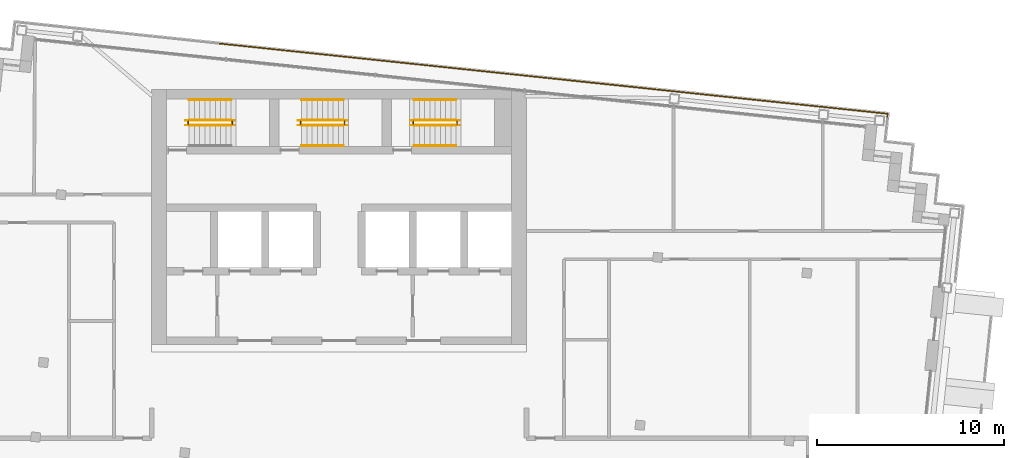
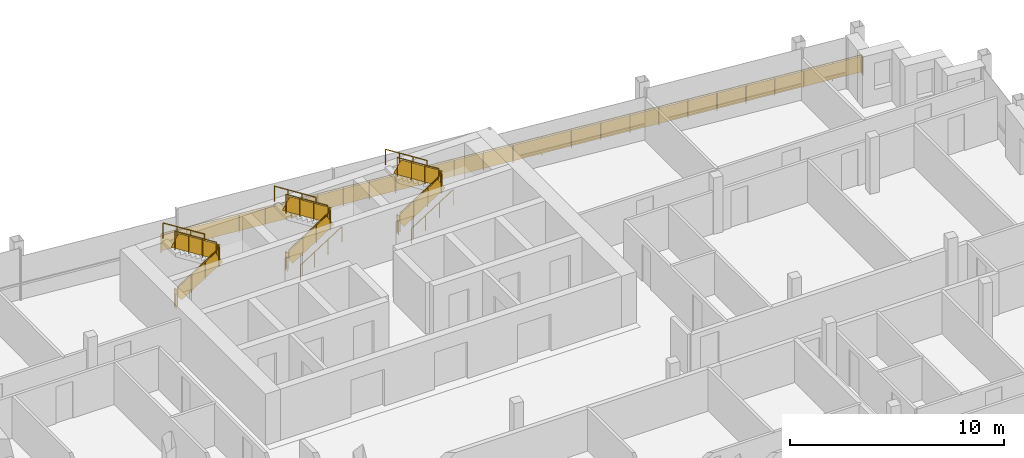
# One storey, part 15 of 16: 20 railings.
"""IFC4 building model written with IfcOpenShell, lengths in metres."""

from ifc_helpers import new_model, si_unit, direction, frame, origin, origin_2d, place, context, subcontext, project, spatial, rectangle, circle, extrude, material, type_object, element, save


model = new_model("IFC4")

# Units and contexts
model_context = context("Model", 3, precision=1e-05, world=origin(), true_north=direction((0.0, 1.0)))
body_context = subcontext(model_context, "Body", "Model", "MODEL_VIEW")
ifc_project = project(units=[si_unit("LENGTHUNIT", "METRE"), si_unit("AREAUNIT", "SQUARE_METRE"), si_unit("VOLUMEUNIT", "CUBIC_METRE"), si_unit("PLANEANGLEUNIT", "RADIAN"), si_unit("MASSUNIT", "GRAM", prefix="KILO")], contexts=[model_context])

# Site, building, storey
site_placement = place(None, origin())
site = spatial("IfcSite", under=ifc_project, at=site_placement, CompositionType="ELEMENT")
building_placement = place(site_placement, origin())
building = spatial("IfcBuilding", under=site, at=building_placement, Name="Vidyagriha Tower", CompositionType="ELEMENT")
storey_placement = place(building_placement, frame((0.0, 0.0, 253.10009765625)))
storey = spatial("IfcBuildingStorey", under=building, at=storey_placement, Name="L65", CompositionType="ELEMENT", Elevation=253.10009765625)

# Railings
ifc_material_1 = material(Name="Steel ASTM A500 Grade C black painted", Category="steel")
railing_type_1 = type_object("IfcRailingType", Name="Gallery guard 1100", PredefinedType="GUARDRAIL", material=ifc_material_1)
railing_1_placement = place(storey_placement, frame((-6.382080078125, 22.45068359375, 0.0)))
element("IfcRailing", 1, at=railing_1_placement, inside=storey, type_object=railing_type_1, Name="Gallery guard L65 6", PredefinedType="GUARDRAIL", context=body_context, shape_type="SweptSolid", body=[
    extrude(circle(Radius=0.02490234375, at=origin_2d()), frame((0.0, 0.0, 1.0751953125), z_axis=(0.994523609071, -0.104512157188, 0.0), x_axis=(0.104512157188, 0.994523609071, 0.0)), (0.0, 0.0, 1.0), 12.0),
    extrude(circle(Radius=0.02001953125, at=origin_2d()), origin(), (0.0, 0.0, 1.0), 1.050048828125),
    extrude(circle(Radius=0.02001953125, at=origin_2d()), frame((1.325927734375, -0.139404296875, 0.0)), (0.0, 0.0, 1.0), 1.050048828125),
    extrude(circle(Radius=0.02001953125, at=origin_2d()), frame((2.652099609375, -0.27880859375, 0.0)), (0.0, 0.0, 1.0), 1.050048828125),
    extrude(circle(Radius=0.02001953125, at=origin_2d()), frame((3.97802734375, -0.41796875, 0.0)), (0.0, 0.0, 1.0), 1.050048828125),
    extrude(circle(Radius=0.02001953125, at=origin_2d()), frame((5.30419921875, -0.557373046875, 0.0)), (0.0, 0.0, 1.0), 1.050048828125),
    extrude(circle(Radius=0.02001953125, at=origin_2d()), frame((6.630126953125, -0.69677734375, 0.0)), (0.0, 0.0, 1.0), 1.050048828125),
    extrude(circle(Radius=0.02001953125, at=origin_2d()), frame((7.956298828125, -0.836181640625, 0.0)), (0.0, 0.0, 1.0), 1.050048828125),
    extrude(circle(Radius=0.02001953125, at=origin_2d()), frame((9.2822265625, -0.975341796875, 0.0)), (0.0, 0.0, 1.0), 1.050048828125),
    extrude(circle(Radius=0.02001953125, at=origin_2d()), frame((10.6083984375, -1.11474609375, 0.0)), (0.0, 0.0, 1.0), 1.050048828125),
    extrude(circle(Radius=0.02001953125, at=origin_2d()), frame((11.934326171875, -1.254150390625, 0.0)), (0.0, 0.0, 1.0), 1.050048828125),
    extrude(rectangle(XDim=0.010009765625, YDim=0.900146484375, at=origin_2d()), frame((0.0, 0.0, 0.550048828125), z_axis=(0.994523609071, -0.104512157188, 0.0), x_axis=(0.104512157188, 0.994523609071, 0.0)), (0.0, 0.0, 1.0), 12.0),
])
railing_2_placement = place(storey_placement, frame((5.55224609375, 21.196533203125, 0.0)))
element("IfcRailing", 2, at=railing_2_placement, inside=storey, type_object=railing_type_1, Name="Gallery guard L65 7", PredefinedType="GUARDRAIL", context=body_context, shape_type="SweptSolid", body=[
    extrude(circle(Radius=0.02490234375, at=origin_2d()), frame((0.0, 0.0, 1.0751953125), z_axis=(0.994521271903, -0.104534394972, 0.0), x_axis=(0.104534394972, 0.994521271903, 0.0)), (0.0, 0.0, 1.0), 11.999755859375),
    extrude(circle(Radius=0.02001953125, at=origin_2d()), origin(), (0.0, 0.0, 1.0), 1.050048828125),
    extrude(circle(Radius=0.02001953125, at=origin_2d()), frame((1.49169921875, -0.15673828125, 0.0)), (0.0, 0.0, 1.0), 1.050048828125),
    extrude(circle(Radius=0.02001953125, at=origin_2d()), frame((2.9833984375, -0.3134765625, 0.0)), (0.0, 0.0, 1.0), 1.050048828125),
    extrude(circle(Radius=0.02001953125, at=origin_2d()), frame((4.475341796875, -0.470458984375, 0.0)), (0.0, 0.0, 1.0), 1.050048828125),
    extrude(circle(Radius=0.02001953125, at=origin_2d()), frame((5.967041015625, -0.627197265625, 0.0)), (0.0, 0.0, 1.0), 1.050048828125),
    extrude(circle(Radius=0.02001953125, at=origin_2d()), frame((7.458740234375, -0.783935546875, 0.0)), (0.0, 0.0, 1.0), 1.050048828125),
    extrude(circle(Radius=0.02001953125, at=origin_2d()), frame((8.95068359375, -0.94091796875, 0.0)), (0.0, 0.0, 1.0), 1.050048828125),
    extrude(circle(Radius=0.02001953125, at=origin_2d()), frame((10.4423828125, -1.09765625, 0.0)), (0.0, 0.0, 1.0), 1.050048828125),
    extrude(circle(Radius=0.02001953125, at=origin_2d()), frame((11.93408203125, -1.25439453125, 0.0)), (0.0, 0.0, 1.0), 1.050048828125),
    extrude(rectangle(XDim=0.010009765625, YDim=0.900146484375, at=origin_2d()), frame((0.0, 0.0, 0.550048828125), z_axis=(0.994521271903, -0.104534394972, 0.0), x_axis=(0.104534394972, 0.994521271903, 0.0)), (0.0, 0.0, 1.0), 11.999755859375),
])
railing_3_placement = place(storey_placement, frame((17.486328125, 19.942138671875, 0.0)))
element("IfcRailing", 3, at=railing_3_placement, inside=storey, type_object=railing_type_1, Name="Gallery guard L65 8", PredefinedType="GUARDRAIL", context=body_context, shape_type="SweptSolid", body=[
    extrude(circle(Radius=0.02490234375, at=origin_2d()), frame((0.0, 0.0, 1.0751953125), z_axis=(0.994522500633, -0.104522704396, 0.0), x_axis=(0.104522704396, 0.994522500633, 0.0)), (0.0, 0.0, 1.0), 11.840087890625),
    extrude(circle(Radius=0.02490234375, at=origin_2d()), frame((11.775146484375, -1.237548828125, 1.0751953125), z_axis=(-0.105240535143, -0.994446795843, 0.0), x_axis=(0.994446795843, -0.105240535143, 0.0)), (0.0, 0.0, 1.0), 0.16015625),
    extrude(circle(Radius=0.02001953125, at=origin_2d()), origin(), (0.0, 0.0, 1.0), 1.050048828125),
    extrude(circle(Radius=0.02001953125, at=origin_2d()), frame((1.471923828125, -0.15478515625, 0.0)), (0.0, 0.0, 1.0), 1.050048828125),
    extrude(circle(Radius=0.02001953125, at=origin_2d()), frame((2.94384765625, -0.309326171875, 0.0)), (0.0, 0.0, 1.0), 1.050048828125),
    extrude(circle(Radius=0.02001953125, at=origin_2d()), frame((4.415771484375, -0.464111328125, 0.0)), (0.0, 0.0, 1.0), 1.050048828125),
    extrude(circle(Radius=0.02001953125, at=origin_2d()), frame((5.8876953125, -0.61865234375, 0.0)), (0.0, 0.0, 1.0), 1.050048828125),
    extrude(circle(Radius=0.02001953125, at=origin_2d()), frame((7.359375, -0.7734375, 0.0)), (0.0, 0.0, 1.0), 1.050048828125),
    extrude(circle(Radius=0.02001953125, at=origin_2d()), frame((8.831298828125, -0.92822265625, 0.0)), (0.0, 0.0, 1.0), 1.050048828125),
    extrude(circle(Radius=0.02001953125, at=origin_2d()), frame((10.30322265625, -1.082763671875, 0.0)), (0.0, 0.0, 1.0), 1.050048828125),
    extrude(circle(Radius=0.02001953125, at=origin_2d()), frame((11.775146484375, -1.237548828125, 0.0)), (0.0, 0.0, 1.0), 1.050048828125),
    extrude(circle(Radius=0.02001953125, at=origin_2d()), frame((11.75830078125, -1.396728515625, 0.0)), (0.0, 0.0, 1.0), 1.050048828125),
    extrude(rectangle(XDim=0.010009765625, YDim=0.900146484375, at=origin_2d()), frame((0.0, 0.0, 0.550048828125), z_axis=(0.994522500633, -0.104522704396, 0.0), x_axis=(0.104522704396, 0.994522500633, 0.0)), (0.0, 0.0, 1.0), 11.840087890625),
    extrude(rectangle(XDim=0.010009765625, YDim=0.900146484375, at=origin_2d()), frame((11.775146484375, -1.237548828125, 0.550048828125), z_axis=(-0.105240535143, -0.994446795843, 0.0), x_axis=(0.994446795843, -0.105240535143, 0.0)), (0.0, 0.0, 1.0), 0.16015625),
])
ifc_material_2 = material(Name="Steel ASTM A500 Grade C", Category="steel")
railing_type_2 = type_object("IfcRailingType", Name="Stair guard 1100 mm, steel balustrade", PredefinedType="GUARDRAIL", material=ifc_material_2)
railing_4_placement = place(storey_placement, frame((-8.0, 18.10009765625, 0.177734375)))
element("IfcRailing", 4, at=railing_4_placement, inside=storey, type_object=railing_type_2, Name="L65 ST1 stair guard 1", PredefinedType="GUARDRAIL", context=body_context, shape_type="SweptSolid", body=[
    extrude(circle(Radius=0.02392578125, at=origin_2d()), frame((0.0, 0.0, 1.076171875), z_axis=(0.8442293374, 0.0, 0.53598211339), x_axis=(0.0, 1.0, 0.0)), (0.0, 0.0, 1.0), 2.6533203125),
    extrude(circle(Radius=0.02099609375, at=origin_2d()), origin(), (0.0, 0.0, 1.0), 1.052001953125),
    extrude(circle(Radius=0.02099609375, at=origin_2d()), frame((0.74658203125, 0.0, 0.47412109375)), (0.0, 0.0, 1.0), 1.052001953125),
    extrude(circle(Radius=0.02099609375, at=origin_2d()), frame((1.493408203125, 0.0, 0.947998046875)), (0.0, 0.0, 1.0), 1.052001953125),
    extrude(circle(Radius=0.02099609375, at=origin_2d()), frame((2.239990234375, 0.0, 1.422119140625)), (0.0, 0.0, 1.0), 1.052001953125),
    extrude(rectangle(XDim=0.010009765625, YDim=0.761474609375, at=origin_2d()), frame((0.0, 0.0, 0.551025390625), z_axis=(0.8442293374, 0.0, 0.53598211339), x_axis=(0.0, 1.0, 0.0)), (0.0, 0.0, 1.0), 2.6533203125),
])
railing_5_placement = place(storey_placement, frame((-5.7099609375, 18.14990234375, 1.599853515625)))
element("IfcRailing", 5, at=railing_5_placement, inside=storey, type_object=railing_type_2, Name="L65 ST1 stair guard 2", PredefinedType="GUARDRAIL", context=body_context, shape_type="SweptSolid", body=[
    extrude(circle(Radius=0.02392578125, at=origin_2d()), frame((0.0, 0.0, 1.076171875), z_axis=(0.0, 1.0, 0.0), x_axis=(-1.0, 0.0, 0.0)), (0.0, 0.0, 1.0), 0.150146484375),
    extrude(circle(Radius=0.02099609375, at=origin_2d()), origin(), (0.0, 0.0, 1.0), 1.052001953125),
    extrude(circle(Radius=0.02099609375, at=origin_2d()), frame((0.0, 0.150146484375, 0.0)), (0.0, 0.0, 1.0), 1.052001953125),
    extrude(rectangle(XDim=0.010009765625, YDim=0.902099609375, at=origin_2d()), frame((0.0, 0.0, 0.551025390625), z_axis=(0.0, 1.0, 0.0), x_axis=(-1.0, 0.0, 0.0)), (0.0, 0.0, 1.0), 0.150146484375),
])
railing_6_placement = place(storey_placement, frame((-5.760009765625, 18.35009765625, 1.777587890625)))
element("IfcRailing", 6, at=railing_6_placement, inside=storey, type_object=railing_type_2, Name="L65 ST1 stair guard 3", PredefinedType="GUARDRAIL", context=body_context, shape_type="SweptSolid", body=[
    extrude(circle(Radius=0.02392578125, at=origin_2d()), frame((0.0, 0.0, 1.076171875), z_axis=(-0.84418770128, 0.0, 0.536047689118), x_axis=(0.0, -1.0, 0.0)), (0.0, 0.0, 1.0), 2.6533203125),
    extrude(circle(Radius=0.02099609375, at=origin_2d()), origin(), (0.0, 0.0, 1.0), 1.052001953125),
    extrude(circle(Radius=0.02099609375, at=origin_2d()), frame((-0.74658203125, 0.0, 0.47412109375)), (0.0, 0.0, 1.0), 1.052001953125),
    extrude(circle(Radius=0.02099609375, at=origin_2d()), frame((-1.493408203125, 0.0, 0.9482421875)), (0.0, 0.0, 1.0), 1.052001953125),
    extrude(circle(Radius=0.02099609375, at=origin_2d()), frame((-2.239990234375, 0.0, 1.42236328125)), (0.0, 0.0, 1.0), 1.052001953125),
    extrude(rectangle(XDim=0.010009765625, YDim=0.761474609375, at=origin_2d()), frame((0.0, 0.0, 0.551025390625), z_axis=(-0.84418770128, 0.0, 0.536047689118), x_axis=(0.0, -1.0, 0.0)), (0.0, 0.0, 1.0), 2.6533203125),
])
railing_7_placement = place(storey_placement, frame((-8.050048828125, 18.14990234375, 0.0)))
element("IfcRailing", 7, at=railing_7_placement, inside=storey, type_object=railing_type_2, Name="L65 ST1 stair guard 4", PredefinedType="GUARDRAIL", context=body_context, shape_type="SweptSolid", body=[
    extrude(circle(Radius=0.02392578125, at=origin_2d()), frame((0.0, 0.0, 1.076171875), z_axis=(0.0, 1.0, 0.0), x_axis=(-1.0, 0.0, 0.0)), (0.0, 0.0, 1.0), 0.150146484375),
    extrude(circle(Radius=0.02099609375, at=origin_2d()), origin(), (0.0, 0.0, 1.0), 1.052001953125),
    extrude(circle(Radius=0.02099609375, at=origin_2d()), frame((0.0, 0.150146484375, 0.0)), (0.0, 0.0, 1.0), 1.052001953125),
    extrude(rectangle(XDim=0.010009765625, YDim=0.902099609375, at=origin_2d()), frame((0.0, 0.0, 0.551025390625), z_axis=(0.0, 1.0, 0.0), x_axis=(-1.0, 0.0, 0.0)), (0.0, 0.0, 1.0), 0.150146484375),
])
railing_8_placement = place(storey_placement, frame((-2.0, 18.10009765625, 0.177734375)))
element("IfcRailing", 8, at=railing_8_placement, inside=storey, type_object=railing_type_2, Name="L65 ST2 stair guard 1", PredefinedType="GUARDRAIL", context=body_context, shape_type="SweptSolid", body=[
    extrude(circle(Radius=0.02392578125, at=origin_2d()), frame((0.0, 0.0, 1.076171875), z_axis=(0.8442293374, 0.0, 0.53598211339), x_axis=(0.0, 1.0, 0.0)), (0.0, 0.0, 1.0), 2.6533203125),
    extrude(circle(Radius=0.02099609375, at=origin_2d()), origin(), (0.0, 0.0, 1.0), 1.052001953125),
    extrude(circle(Radius=0.02099609375, at=origin_2d()), frame((0.74658203125, 0.0, 0.47412109375)), (0.0, 0.0, 1.0), 1.052001953125),
    extrude(circle(Radius=0.02099609375, at=origin_2d()), frame((1.493408203125, 0.0, 0.947998046875)), (0.0, 0.0, 1.0), 1.052001953125),
    extrude(circle(Radius=0.02099609375, at=origin_2d()), frame((2.239990234375, 0.0, 1.422119140625)), (0.0, 0.0, 1.0), 1.052001953125),
    extrude(rectangle(XDim=0.010009765625, YDim=0.761474609375, at=origin_2d()), frame((0.0, 0.0, 0.551025390625), z_axis=(0.8442293374, 0.0, 0.53598211339), x_axis=(0.0, 1.0, 0.0)), (0.0, 0.0, 1.0), 2.6533203125),
])
railing_9_placement = place(storey_placement, frame((0.2900390625, 18.14990234375, 1.599853515625)))
element("IfcRailing", 9, at=railing_9_placement, inside=storey, type_object=railing_type_2, Name="L65 ST2 stair guard 2", PredefinedType="GUARDRAIL", context=body_context, shape_type="SweptSolid", body=[
    extrude(circle(Radius=0.02392578125, at=origin_2d()), frame((0.0, 0.0, 1.076171875), z_axis=(0.0, 1.0, 0.0), x_axis=(-1.0, 0.0, 0.0)), (0.0, 0.0, 1.0), 0.150146484375),
    extrude(circle(Radius=0.02099609375, at=origin_2d()), origin(), (0.0, 0.0, 1.0), 1.052001953125),
    extrude(circle(Radius=0.02099609375, at=origin_2d()), frame((0.0, 0.150146484375, 0.0)), (0.0, 0.0, 1.0), 1.052001953125),
    extrude(rectangle(XDim=0.010009765625, YDim=0.902099609375, at=origin_2d()), frame((0.0, 0.0, 0.551025390625), z_axis=(0.0, 1.0, 0.0), x_axis=(-1.0, 0.0, 0.0)), (0.0, 0.0, 1.0), 0.150146484375),
])
railing_10_placement = place(storey_placement, frame((0.239990234375, 18.35009765625, 1.777587890625)))
element("IfcRailing", 10, at=railing_10_placement, inside=storey, type_object=railing_type_2, Name="L65 ST2 stair guard 3", PredefinedType="GUARDRAIL", context=body_context, shape_type="SweptSolid", body=[
    extrude(circle(Radius=0.02392578125, at=origin_2d()), frame((0.0, 0.0, 1.076171875), z_axis=(-0.84418770128, 0.0, 0.536047689118), x_axis=(0.0, -1.0, 0.0)), (0.0, 0.0, 1.0), 2.6533203125),
    extrude(circle(Radius=0.02099609375, at=origin_2d()), origin(), (0.0, 0.0, 1.0), 1.052001953125),
    extrude(circle(Radius=0.02099609375, at=origin_2d()), frame((-0.74658203125, 0.0, 0.47412109375)), (0.0, 0.0, 1.0), 1.052001953125),
    extrude(circle(Radius=0.02099609375, at=origin_2d()), frame((-1.493408203125, 0.0, 0.9482421875)), (0.0, 0.0, 1.0), 1.052001953125),
    extrude(circle(Radius=0.02099609375, at=origin_2d()), frame((-2.239990234375, 0.0, 1.42236328125)), (0.0, 0.0, 1.0), 1.052001953125),
    extrude(rectangle(XDim=0.010009765625, YDim=0.761474609375, at=origin_2d()), frame((0.0, 0.0, 0.551025390625), z_axis=(-0.84418770128, 0.0, 0.536047689118), x_axis=(0.0, -1.0, 0.0)), (0.0, 0.0, 1.0), 2.6533203125),
])
railing_11_placement = place(storey_placement, frame((-2.050048828125, 18.14990234375, 0.0)))
element("IfcRailing", 11, at=railing_11_placement, inside=storey, type_object=railing_type_2, Name="L65 ST2 stair guard 4", PredefinedType="GUARDRAIL", context=body_context, shape_type="SweptSolid", body=[
    extrude(circle(Radius=0.02392578125, at=origin_2d()), frame((0.0, 0.0, 1.076171875), z_axis=(0.0, 1.0, 0.0), x_axis=(-1.0, 0.0, 0.0)), (0.0, 0.0, 1.0), 0.150146484375),
    extrude(circle(Radius=0.02099609375, at=origin_2d()), origin(), (0.0, 0.0, 1.0), 1.052001953125),
    extrude(circle(Radius=0.02099609375, at=origin_2d()), frame((0.0, 0.150146484375, 0.0)), (0.0, 0.0, 1.0), 1.052001953125),
    extrude(rectangle(XDim=0.010009765625, YDim=0.902099609375, at=origin_2d()), frame((0.0, 0.0, 0.551025390625), z_axis=(0.0, 1.0, 0.0), x_axis=(-1.0, 0.0, 0.0)), (0.0, 0.0, 1.0), 0.150146484375),
])
railing_12_placement = place(storey_placement, frame((4.0, 18.10009765625, 0.177734375)))
element("IfcRailing", 12, at=railing_12_placement, inside=storey, type_object=railing_type_2, Name="L65 ST3 stair guard 1", PredefinedType="GUARDRAIL", context=body_context, shape_type="SweptSolid", body=[
    extrude(circle(Radius=0.02392578125, at=origin_2d()), frame((0.0, 0.0, 1.076171875), z_axis=(0.8442293374, 0.0, 0.53598211339), x_axis=(0.0, 1.0, 0.0)), (0.0, 0.0, 1.0), 2.6533203125),
    extrude(circle(Radius=0.02099609375, at=origin_2d()), origin(), (0.0, 0.0, 1.0), 1.052001953125),
    extrude(circle(Radius=0.02099609375, at=origin_2d()), frame((0.74658203125, 0.0, 0.47412109375)), (0.0, 0.0, 1.0), 1.052001953125),
    extrude(circle(Radius=0.02099609375, at=origin_2d()), frame((1.493408203125, 0.0, 0.947998046875)), (0.0, 0.0, 1.0), 1.052001953125),
    extrude(circle(Radius=0.02099609375, at=origin_2d()), frame((2.239990234375, 0.0, 1.422119140625)), (0.0, 0.0, 1.0), 1.052001953125),
    extrude(rectangle(XDim=0.010009765625, YDim=0.761474609375, at=origin_2d()), frame((0.0, 0.0, 0.551025390625), z_axis=(0.8442293374, 0.0, 0.53598211339), x_axis=(0.0, 1.0, 0.0)), (0.0, 0.0, 1.0), 2.6533203125),
])
railing_13_placement = place(storey_placement, frame((6.2900390625, 18.14990234375, 1.599853515625)))
element("IfcRailing", 13, at=railing_13_placement, inside=storey, type_object=railing_type_2, Name="L65 ST3 stair guard 2", PredefinedType="GUARDRAIL", context=body_context, shape_type="SweptSolid", body=[
    extrude(circle(Radius=0.02392578125, at=origin_2d()), frame((0.0, 0.0, 1.076171875), z_axis=(0.0, 1.0, 0.0), x_axis=(-1.0, 0.0, 0.0)), (0.0, 0.0, 1.0), 0.150146484375),
    extrude(circle(Radius=0.02099609375, at=origin_2d()), origin(), (0.0, 0.0, 1.0), 1.052001953125),
    extrude(circle(Radius=0.02099609375, at=origin_2d()), frame((0.0, 0.150146484375, 0.0)), (0.0, 0.0, 1.0), 1.052001953125),
    extrude(rectangle(XDim=0.010009765625, YDim=0.902099609375, at=origin_2d()), frame((0.0, 0.0, 0.551025390625), z_axis=(0.0, 1.0, 0.0), x_axis=(-1.0, 0.0, 0.0)), (0.0, 0.0, 1.0), 0.150146484375),
])
railing_14_placement = place(storey_placement, frame((6.239990234375, 18.35009765625, 1.777587890625)))
element("IfcRailing", 14, at=railing_14_placement, inside=storey, type_object=railing_type_2, Name="L65 ST3 stair guard 3", PredefinedType="GUARDRAIL", context=body_context, shape_type="SweptSolid", body=[
    extrude(circle(Radius=0.02392578125, at=origin_2d()), frame((0.0, 0.0, 1.076171875), z_axis=(-0.84418770128, 0.0, 0.536047689118), x_axis=(0.0, -1.0, 0.0)), (0.0, 0.0, 1.0), 2.6533203125),
    extrude(circle(Radius=0.02099609375, at=origin_2d()), origin(), (0.0, 0.0, 1.0), 1.052001953125),
    extrude(circle(Radius=0.02099609375, at=origin_2d()), frame((-0.74658203125, 0.0, 0.47412109375)), (0.0, 0.0, 1.0), 1.052001953125),
    extrude(circle(Radius=0.02099609375, at=origin_2d()), frame((-1.493408203125, 0.0, 0.9482421875)), (0.0, 0.0, 1.0), 1.052001953125),
    extrude(circle(Radius=0.02099609375, at=origin_2d()), frame((-2.239990234375, 0.0, 1.42236328125)), (0.0, 0.0, 1.0), 1.052001953125),
    extrude(rectangle(XDim=0.010009765625, YDim=0.761474609375, at=origin_2d()), frame((0.0, 0.0, 0.551025390625), z_axis=(-0.84418770128, 0.0, 0.536047689118), x_axis=(0.0, -1.0, 0.0)), (0.0, 0.0, 1.0), 2.6533203125),
])
railing_15_placement = place(storey_placement, frame((3.949951171875, 18.14990234375, 0.0)))
element("IfcRailing", 15, at=railing_15_placement, inside=storey, type_object=railing_type_2, Name="L65 ST3 stair guard 4", PredefinedType="GUARDRAIL", context=body_context, shape_type="SweptSolid", body=[
    extrude(circle(Radius=0.02392578125, at=origin_2d()), frame((0.0, 0.0, 1.076171875), z_axis=(0.0, 1.0, 0.0), x_axis=(-1.0, 0.0, 0.0)), (0.0, 0.0, 1.0), 0.150146484375),
    extrude(circle(Radius=0.02099609375, at=origin_2d()), origin(), (0.0, 0.0, 1.0), 1.052001953125),
    extrude(circle(Radius=0.02099609375, at=origin_2d()), frame((0.0, 0.150146484375, 0.0)), (0.0, 0.0, 1.0), 1.052001953125),
    extrude(rectangle(XDim=0.010009765625, YDim=0.902099609375, at=origin_2d()), frame((0.0, 0.0, 0.551025390625), z_axis=(0.0, 1.0, 0.0), x_axis=(-1.0, 0.0, 0.0)), (0.0, 0.0, 1.0), 0.150146484375),
])
ifc_material_3 = material(Name="Steel ASTM A500 Grade C", Category="steel")
railing_type_3 = type_object("IfcRailingType", Name="Stair handrail 900 mm, steel", PredefinedType="HANDRAIL", material=ifc_material_3)
railing_16_placement = place(storey_placement, frame((-5.760009765625, 19.449951171875, 1.777587890625)))
element("IfcRailing", 16, at=railing_16_placement, inside=storey, type_object=railing_type_3, Name="L65 ST1 stair handrail 2", PredefinedType="HANDRAIL", context=body_context, shape_type="SweptSolid", body=[
    extrude(circle(Radius=0.02392578125, at=origin_2d()), frame((0.0, 0.0, 0.8759765625), z_axis=(-0.84418770128, 0.0, 0.536047689118), x_axis=(0.0, -1.0, 0.0)), (0.0, 0.0, 1.0), 2.6533203125),
    extrude(circle(Radius=0.02099609375, at=origin_2d()), origin(), (0.0, 0.0, 1.0), 0.851806640625),
    extrude(circle(Radius=0.02099609375, at=origin_2d()), frame((-0.74658203125, 0.0, 0.47412109375)), (0.0, 0.0, 1.0), 0.851806640625),
    extrude(circle(Radius=0.02099609375, at=origin_2d()), frame((-1.493408203125, 0.0, 0.9482421875)), (0.0, 0.0, 1.0), 0.851806640625),
    extrude(circle(Radius=0.02099609375, at=origin_2d()), frame((-2.239990234375, 0.0, 1.42236328125)), (0.0, 0.0, 1.0), 0.851806640625),
])
railing_17_placement = place(storey_placement, frame((-2.0, 17.0, 0.177734375)))
element("IfcRailing", 17, at=railing_17_placement, inside=storey, type_object=railing_type_3, Name="L65 ST2 stair handrail 1", PredefinedType="HANDRAIL", context=body_context, shape_type="SweptSolid", body=[
    extrude(circle(Radius=0.02392578125, at=origin_2d()), frame((0.0, 0.0, 0.8759765625), z_axis=(0.8442293374, 0.0, 0.53598211339), x_axis=(0.0, 1.0, 0.0)), (0.0, 0.0, 1.0), 2.6533203125),
    extrude(circle(Radius=0.02099609375, at=origin_2d()), origin(), (0.0, 0.0, 1.0), 0.851806640625),
    extrude(circle(Radius=0.02099609375, at=origin_2d()), frame((0.74658203125, 0.0, 0.47412109375)), (0.0, 0.0, 1.0), 0.851806640625),
    extrude(circle(Radius=0.02099609375, at=origin_2d()), frame((1.493408203125, 0.0, 0.947998046875)), (0.0, 0.0, 1.0), 0.851806640625),
    extrude(circle(Radius=0.02099609375, at=origin_2d()), frame((2.239990234375, 0.0, 1.422119140625)), (0.0, 0.0, 1.0), 0.851806640625),
])
railing_18_placement = place(storey_placement, frame((0.239990234375, 19.449951171875, 1.777587890625)))
element("IfcRailing", 18, at=railing_18_placement, inside=storey, type_object=railing_type_3, Name="L65 ST2 stair handrail 2", PredefinedType="HANDRAIL", context=body_context, shape_type="SweptSolid", body=[
    extrude(circle(Radius=0.02392578125, at=origin_2d()), frame((0.0, 0.0, 0.8759765625), z_axis=(-0.84418770128, 0.0, 0.536047689118), x_axis=(0.0, -1.0, 0.0)), (0.0, 0.0, 1.0), 2.6533203125),
    extrude(circle(Radius=0.02099609375, at=origin_2d()), origin(), (0.0, 0.0, 1.0), 0.851806640625),
    extrude(circle(Radius=0.02099609375, at=origin_2d()), frame((-0.74658203125, 0.0, 0.47412109375)), (0.0, 0.0, 1.0), 0.851806640625),
    extrude(circle(Radius=0.02099609375, at=origin_2d()), frame((-1.493408203125, 0.0, 0.9482421875)), (0.0, 0.0, 1.0), 0.851806640625),
    extrude(circle(Radius=0.02099609375, at=origin_2d()), frame((-2.239990234375, 0.0, 1.42236328125)), (0.0, 0.0, 1.0), 0.851806640625),
])
railing_19_placement = place(storey_placement, frame((4.0, 17.0, 0.177734375)))
element("IfcRailing", 19, at=railing_19_placement, inside=storey, type_object=railing_type_3, Name="L65 ST3 stair handrail 1", PredefinedType="HANDRAIL", context=body_context, shape_type="SweptSolid", body=[
    extrude(circle(Radius=0.02392578125, at=origin_2d()), frame((0.0, 0.0, 0.8759765625), z_axis=(0.8442293374, 0.0, 0.53598211339), x_axis=(0.0, 1.0, 0.0)), (0.0, 0.0, 1.0), 2.6533203125),
    extrude(circle(Radius=0.02099609375, at=origin_2d()), origin(), (0.0, 0.0, 1.0), 0.851806640625),
    extrude(circle(Radius=0.02099609375, at=origin_2d()), frame((0.74658203125, 0.0, 0.47412109375)), (0.0, 0.0, 1.0), 0.851806640625),
    extrude(circle(Radius=0.02099609375, at=origin_2d()), frame((1.493408203125, 0.0, 0.947998046875)), (0.0, 0.0, 1.0), 0.851806640625),
    extrude(circle(Radius=0.02099609375, at=origin_2d()), frame((2.239990234375, 0.0, 1.422119140625)), (0.0, 0.0, 1.0), 0.851806640625),
])
railing_20_placement = place(storey_placement, frame((6.239990234375, 19.449951171875, 1.777587890625)))
element("IfcRailing", 20, at=railing_20_placement, inside=storey, type_object=railing_type_3, Name="L65 ST3 stair handrail 2", PredefinedType="HANDRAIL", context=body_context, shape_type="SweptSolid", body=[
    extrude(circle(Radius=0.02392578125, at=origin_2d()), frame((0.0, 0.0, 0.8759765625), z_axis=(-0.84418770128, 0.0, 0.536047689118), x_axis=(0.0, -1.0, 0.0)), (0.0, 0.0, 1.0), 2.6533203125),
    extrude(circle(Radius=0.02099609375, at=origin_2d()), origin(), (0.0, 0.0, 1.0), 0.851806640625),
    extrude(circle(Radius=0.02099609375, at=origin_2d()), frame((-0.74658203125, 0.0, 0.47412109375)), (0.0, 0.0, 1.0), 0.851806640625),
    extrude(circle(Radius=0.02099609375, at=origin_2d()), frame((-1.493408203125, 0.0, 0.9482421875)), (0.0, 0.0, 1.0), 0.851806640625),
    extrude(circle(Radius=0.02099609375, at=origin_2d()), frame((-2.239990234375, 0.0, 1.42236328125)), (0.0, 0.0, 1.0), 0.851806640625),
])

save(model, "model.ifc")
